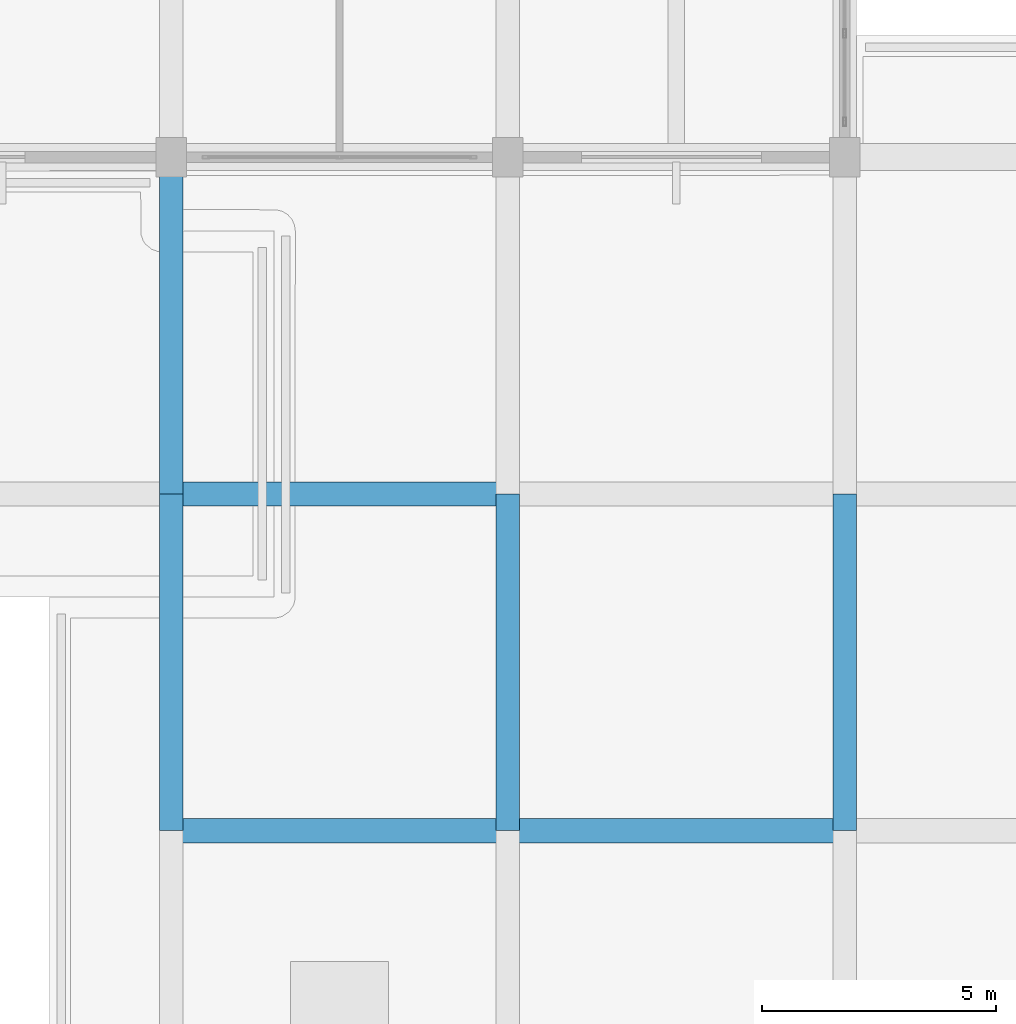
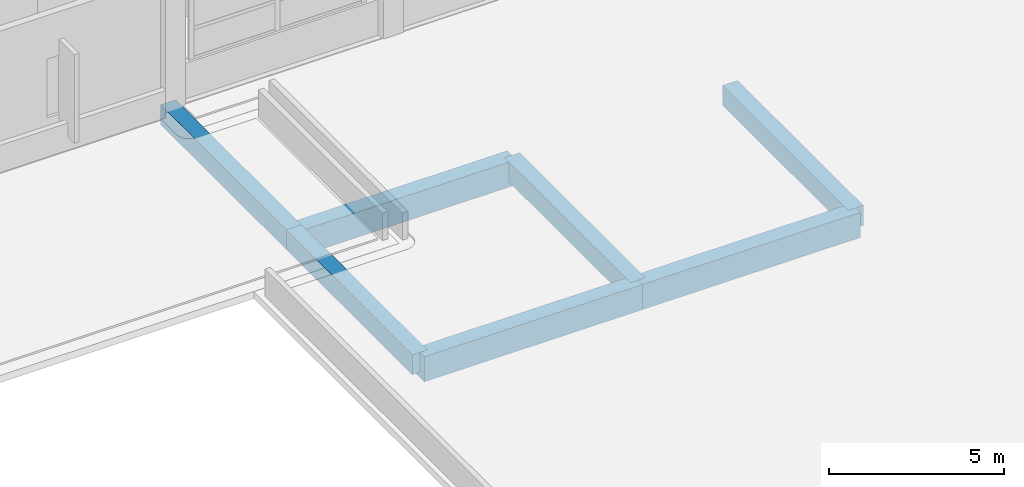
# One storey, part 97 of 140: 7 beams.
"""IFC4 building model written with IfcOpenShell, lengths in metres."""

from ifc_helpers import new_model, si_unit, direction, frame, origin, origin_2d, place, context, subcontext, project, spatial, rectangle, extrude, material, material_profile, profile_set, type_object, element, save


model = new_model("IFC4")

# Units and contexts
model_context = context("Model", 3, precision=1e-05, world=origin(), true_north=direction((0.0, 1.0)))
body_context = subcontext(model_context, "Body", "Model", "MODEL_VIEW")
ifc_project = project(units=[si_unit("LENGTHUNIT", "METRE"), si_unit("AREAUNIT", "SQUARE_METRE"), si_unit("VOLUMEUNIT", "CUBIC_METRE"), si_unit("PLANEANGLEUNIT", "RADIAN"), si_unit("MASSUNIT", "GRAM", prefix="KILO")], contexts=[model_context])

# Site, building, storey
site_placement = place(None, origin())
site = spatial("IfcSite", under=ifc_project, at=site_placement, CompositionType="ELEMENT")
building_placement = place(site_placement, origin())
building = spatial("IfcBuilding", under=site, at=building_placement, Name="Seraya Terrace Polytechnic", CompositionType="ELEMENT")
storey_placement = place(building_placement, frame((0.0, 0.0, 9.60009765625)))
storey = spatial("IfcBuildingStorey", under=building, at=storey_placement, Name="L02", CompositionType="ELEMENT", Elevation=9.60009765625)

# Beams
ifc_material = material(Name="Concrete C40/50", Category="concrete")
ifc_material_profile_1 = material_profile(ifc_material, rectangle(XDim=0.52001953125, YDim=0.8798828125, at=origin_2d()), Name="RC 520x880")
ifc_profile_set_1 = profile_set([ifc_material_profile_1], Name="Concrete C40/50")
beam_type_1 = type_object("IfcBeamType", Name="BM-04", PredefinedType="BEAM", material=ifc_profile_set_1)
for number, where, z_axis, x_axis, name in (
    (1, (144.0, 64.800048828125, -0.440185546875), (1.0, 0.0, 0.0), (0.0, 1.0, 0.0), "Beam BM-04 L02 X (144.0..151.2, 64.8)"),
    (2, (151.199951171875, 64.800048828125, -0.440185546875), (1.0, 0.0, 0.0), (0.0, 1.0, 0.0), "Beam BM-04 L02 X (151.2..158.4, 64.8)"),
    (3, (144.0, 72.0, -0.440185546875), (1.0, 0.0, 0.0), (0.0, 1.0, 0.0), "Beam BM-04 L02 X (144.0..151.2, 72.0)"),
):
    element("IfcBeam", number, at=place(storey_placement, frame(where, z_axis=z_axis, x_axis=x_axis)), inside=storey, type_object=beam_type_1, Name=name, PredefinedType="BEAM", context=body_context, shape_type="SweptSolid", body=[
        extrude(rectangle(XDim=0.52001953125, YDim=0.8798828125, at=origin_2d()), origin(), (0.0, 0.0, 1.0), 7.199951171875),
    ])
ifc_material_profile_2 = material_profile(ifc_material, rectangle(XDim=0.5, YDim=0.699951171875, at=origin_2d()), Name="RC 500x700")
ifc_profile_set_2 = profile_set([ifc_material_profile_2], Name="Concrete C40/50")
beam_type_2 = type_object("IfcBeamType", Name="BM-07", PredefinedType="BEAM", material=ifc_profile_set_2)
for number, where, z_axis, x_axis, name in (
    (4, (144.0, 64.800048828125, -0.35009765625), (0.0, 1.0, 0.0), (-1.0, 0.0, 0.0), "Beam BM-07 L02 Y (144.0, 64.8..72.0)"),
    (5, (144.0, 72.0, -0.35009765625), (0.0, 1.0, 0.0), (-1.0, 0.0, 0.0), "Beam BM-07 L02 Y (144.0, 72.0..79.2)"),
    (6, (151.199951171875, 64.800048828125, -0.35009765625), (0.0, 1.0, 0.0), (-1.0, 0.0, 0.0), "Beam BM-07 L02 Y (151.2, 64.8..72.0)"),
    (7, (158.39990234375, 64.800048828125, -0.35009765625), (0.0, 1.0, 0.0), (-1.0, 0.0, 0.0), "Beam BM-07 L02 Y (158.4, 64.8..72.0)"),
):
    element("IfcBeam", number, at=place(storey_placement, frame(where, z_axis=z_axis, x_axis=x_axis)), inside=storey, type_object=beam_type_2, Name=name, PredefinedType="BEAM", context=body_context, shape_type="SweptSolid", body=[
        extrude(rectangle(XDim=0.5, YDim=0.699951171875, at=origin_2d()), origin(), (0.0, 0.0, 1.0), 7.199951171875),
    ])

save(model, "model.ifc")
